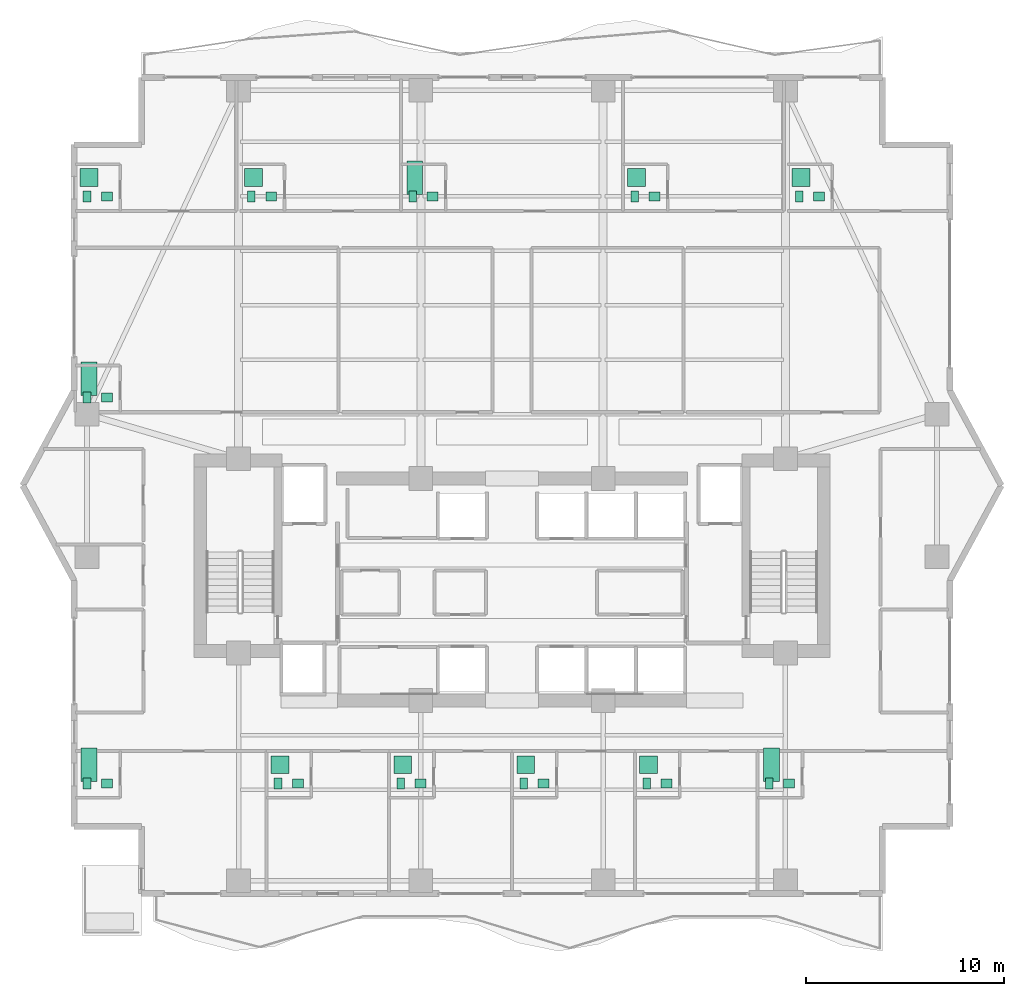
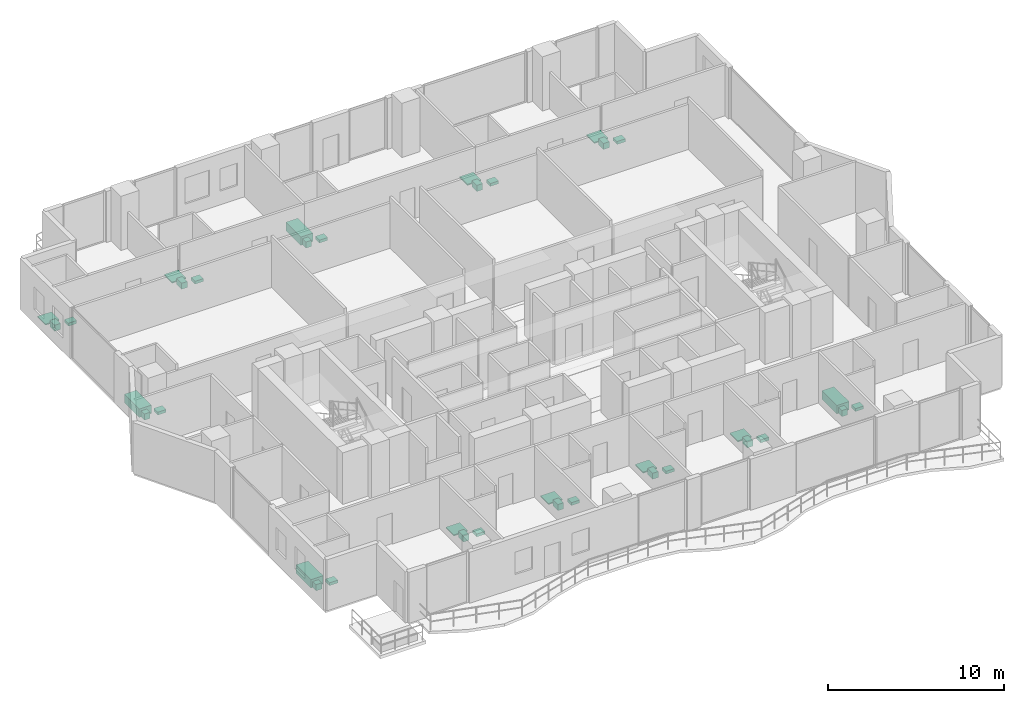
# One storey, part 32 of 32: 36 sanitary terminals.
"""IFC4 building model written with IfcOpenShell, lengths in metres."""

import ifcopenshell
import ifcopenshell.guid

model = None  # the IFC model being written
_history = None  # IfcOwnerHistory: only IFC2X3 demands one
_inside = {}  # id of a spatial element -> (the spatial element, [elements in it])
_under = {}  # id of a project, library or spatial element -> (it, [spatial elements below it])
_declared = {}  # id of a project -> (the project, [libraries it declares])
_typed = {}  # id of a type object -> (the type object, [elements of that type])
_made_of = {}  # id of a material, layer set ... -> (it, [elements and type objects made of it])


def new_model(schema):
    """Start an empty IFC model of exactly this schema.

    Asked for "IFC4X3", IfcOpenShell would pick the latest addendum, in which some entities
    have other attributes; the version numbers below select the first issue.
    IFC2X3 requires an IfcOwnerHistory on every rooted entity: one is made here for all.
    """
    global model, _history
    if schema == "IFC4X3":
        model = ifcopenshell.file(schema_version=(4, 3, 0, 0))
    else:
        model = ifcopenshell.file(schema=schema)
    _inside.clear()
    _under.clear()
    _declared.clear()
    _typed.clear()
    _made_of.clear()
    _history = None
    if model.schema == "IFC2X3":
        org = make("IfcOrganization", Name="unknown")
        user = make(
            "IfcPersonAndOrganization",
            ThePerson=make("IfcPerson", FamilyName="unknown"),
            TheOrganization=org,
        )
        app = make(
            "IfcApplication",
            ApplicationDeveloper=org,
            Version="unknown",
            ApplicationFullName="unknown",
            ApplicationIdentifier="unknown",
        )
        _history = make(
            "IfcOwnerHistory",
            OwningUser=user,
            OwningApplication=app,
            ChangeAction="ADDED",
            CreationDate=0,
        )
    return model


def make(cls, **values):
    """One entity of the class cls with the attributes given. An attribute that is None is left unset."""
    return model.create_entity(
        cls, **{name: value for name, value in values.items() if value is not None}
    )


def rooted(cls, **values):
    """An entity with a GlobalId (a new one), such as an element, a storey or a relation."""
    return make(cls, GlobalId=ifcopenshell.guid.new(), OwnerHistory=_history, **values)


def si_unit(unit_type, name, prefix=None):
    """IfcSIUnit, for example si_unit("LENGTHUNIT", "METRE", prefix="MILLI")."""
    return make("IfcSIUnit", UnitType=unit_type, Prefix=prefix, Name=name)


def assignment(units):
    """IfcUnitAssignment: the units of a project."""
    return None if units is None else make("IfcUnitAssignment", Units=units)


def point(xyz):
    """IfcCartesianPoint."""
    return None if xyz is None else make("IfcCartesianPoint", Coordinates=xyz)


def direction(xyz):
    """IfcDirection."""
    return None if xyz is None else make("IfcDirection", DirectionRatios=xyz)


def frame(location, z_axis=None, x_axis=None):
    """IfcAxis2Placement3D, a coordinate frame: its origin and axes. An axis left out is left unset."""
    return make(
        "IfcAxis2Placement3D",
        Location=point(location),
        Axis=direction(z_axis),
        RefDirection=direction(x_axis),
    )


def frame_2d(location, x_axis=None):
    """IfcAxis2Placement2D, a coordinate frame in the plane: its origin and x axis."""
    return make(
        "IfcAxis2Placement2D", Location=point(location), RefDirection=direction(x_axis)
    )


def origin():
    """The frame at (0, 0, 0) with its axes left unset."""
    return frame((0.0, 0.0, 0.0))


def origin_2d():
    """The frame at (0, 0) in the plane with its x axis left unset."""
    return frame_2d((0.0, 0.0))


def place(relative_to, where):
    """IfcLocalPlacement: puts the frame where relative to a parent placement (None: the world)."""
    return make(
        "IfcLocalPlacement", PlacementRelTo=relative_to, RelativePlacement=where
    )


def context(
    kind, dimensions, precision=None, world=None, true_north=None, identifier=None
):
    """IfcGeometricRepresentationContext, for example the 3D "Model" context."""
    return make(
        "IfcGeometricRepresentationContext",
        ContextIdentifier=identifier,
        ContextType=kind,
        CoordinateSpaceDimension=dimensions,
        Precision=precision,
        WorldCoordinateSystem=world,
        TrueNorth=true_north,
    )


def subcontext(parent, identifier, kind, view, scale=None):
    """IfcGeometricRepresentationSubContext, for example "Body" below "Model"."""
    return make(
        "IfcGeometricRepresentationSubContext",
        ContextIdentifier=identifier,
        ContextType=kind,
        ParentContext=parent,
        TargetScale=scale,
        TargetView=view,
    )


def project(units=None, contexts=None):
    """IfcProject with its units and contexts."""
    return rooted(
        "IfcProject",
        Name="project",
        RepresentationContexts=contexts,
        UnitsInContext=assignment(units),
    )


def spatial(cls, under=None, at=None, **own):
    """A site, building, storey or space (cls), placed at a placement, below another one or the project."""
    s = rooted(cls, ObjectPlacement=at, **own)
    if under is not None:
        _under.setdefault(under.id(), (under, []))[1].append(s)
    return s


def profile(cls, at=None, kind="AREA", **sizes):
    """A parametric profile (cls). Its sizes go by their IFC names, for example OverallWidth=200.0."""
    return make(cls, ProfileType=kind, Position=at, **sizes)


def rectangle(**sizes):
    """IfcRectangleProfileDef."""
    return profile("IfcRectangleProfileDef", **sizes)


def extrude(swept, where, along, depth):
    """IfcExtrudedAreaSolid: the profile swept, set in the frame where, extruded along a direction by depth."""
    return make(
        "IfcExtrudedAreaSolid",
        SweptArea=swept,
        Position=where,
        ExtrudedDirection=direction(along),
        Depth=depth,
    )


def shape(context_of_items, identifier, shape_type, items):
    """IfcShapeRepresentation: the items that make up one representation, for example the "Body"."""
    return make(
        "IfcShapeRepresentation",
        ContextOfItems=context_of_items,
        RepresentationIdentifier=identifier,
        RepresentationType=shape_type,
        Items=items,
    )


def material(Name=None, Category=None):
    """IfcMaterial."""
    return make("IfcMaterial", Name=Name, Category=Category)


def made_of(thing, what):
    """Note that an element or type object is made of a material, layer set ...; save() writes the relation."""
    if what is not None:
        _made_of.setdefault(what.id(), (what, []))[1].append(thing)
    return thing


def type_object(cls, material=None, **own):
    """A type object (cls), such as IfcWallType, which elements share."""
    return made_of(rooted(cls, **own), material)


def element(
    cls,
    number,
    at=None,
    inside=None,
    cuts=None,
    type_object=None,
    material=None,
    context=None,
    identifier="Body",
    shape_type=None,
    held_by="IfcProductDefinitionShape",
    body=None,
    shapes=None,
    **own,
):
    """One element of the class cls, such as IfcWall. Its Tag is "e" and its number.

    at: its placement. inside: the storey or other place that contains it. cuts: it is an
    opening in that element (IfcRelVoidsElement). A single representation is given by context,
    identifier, shape_type and body (its items); several are given by shapes. held_by: the class
    of the entity that holds the representations. save() writes the other relations.
    """
    e = rooted(cls, Tag="e%d" % number, ObjectPlacement=at, **own)
    if body is not None:
        shapes = [shape(context, identifier, shape_type, body)]
    if shapes is not None:
        e.Representation = make(held_by, Representations=shapes)
    if inside is not None:
        _inside.setdefault(inside.id(), (inside, []))[1].append(e)
    if cuts is not None:
        rooted(
            "IfcRelVoidsElement", RelatingBuildingElement=cuts, RelatedOpeningElement=e
        )
    if type_object is not None:
        _typed.setdefault(type_object.id(), (type_object, []))[1].append(e)
    return made_of(e, material)


def aggregate(whole, parts):
    """IfcRelAggregates: a whole, such as a stair, and the parts it consists of."""
    return rooted("IfcRelAggregates", RelatingObject=whole, RelatedObjects=parts)


def save(model, path):
    """Write the relations noted so far, then the file.

    IfcRelAggregates (storeys below a building ...), IfcRelContainedInSpatialStructure (elements
    in a storey), IfcRelDefinesByType, IfcRelAssociatesMaterial and IfcRelDeclares: one each for
    every whole, place, type object, material and project.
    """
    for whole, parts in _under.values():
        aggregate(whole, parts)
    for where, things in _inside.values():
        rooted(
            "IfcRelContainedInSpatialStructure",
            RelatedElements=things,
            RelatingStructure=where,
        )
    for kind, things in _typed.values():
        rooted("IfcRelDefinesByType", RelatedObjects=things, RelatingType=kind)
    for what, things in _made_of.values():
        rooted("IfcRelAssociatesMaterial", RelatedObjects=things, RelatingMaterial=what)
    for by, libraries in _declared.values():
        rooted("IfcRelDeclares", RelatingContext=by, RelatedDefinitions=libraries)
    model.write(path)


model = new_model("IFC4")

# Units and contexts
model_context = context("Model", 3, precision=1e-05, world=origin(), true_north=direction((0.0, 1.0)))
body_context = subcontext(model_context, "Body", "Model", "MODEL_VIEW")
ifc_project = project(units=[si_unit("LENGTHUNIT", "METRE"), si_unit("AREAUNIT", "SQUARE_METRE"), si_unit("VOLUMEUNIT", "CUBIC_METRE"), si_unit("PLANEANGLEUNIT", "RADIAN"), si_unit("MASSUNIT", "GRAM", prefix="KILO")], contexts=[model_context])

# Site, building, storey
site_placement = place(None, origin())
site = spatial("IfcSite", under=ifc_project, at=site_placement, CompositionType="ELEMENT")
building_placement = place(site_placement, origin())
building = spatial("IfcBuilding", under=site, at=building_placement, Name="Zuhayl Quay Hotel", CompositionType="ELEMENT")
storey_placement = place(building_placement, frame((0.0, 0.0, 196.14990234375)))
storey = spatial("IfcBuildingStorey", under=building, at=storey_placement, Name="L49", CompositionType="ELEMENT", Elevation=196.14990234375)

# Sanitary terminals
ifc_material = material(Name="Vitreous Porcelain Sanitaryware")
sanitary_terminal_type_1 = type_object("IfcSanitaryTerminalType", Name="SAN_BASIN", PredefinedType="WASHHANDBASIN", material=ifc_material)
for number, where, z_axis, x_axis, name in (
    (1, (-20.449951171875, 27.590087890625, 0.0), (0.0, 0.0, 1.0), (1.0, 0.0, 0.0), "L49 Sanitary Fixture WASHHANDBASIN"),
    (2, (-12.14990234375, 27.590087890625, 0.0), (0.0, 0.0, 1.0), (1.0, 0.0, 0.0), "L49 Sanitary Fixture WASHHANDBASIN"),
    (3, (-4.010009765625, 27.590087890625, 0.0), (0.0, 0.0, 1.0), (1.0, 0.0, 0.0), "L49 Sanitary Fixture WASHHANDBASIN"),
    (4, (7.18994140625, 27.590087890625, 0.0), (0.0, 0.0, 1.0), (1.0, 0.0, 0.0), "L49 Sanitary Fixture WASHHANDBASIN"),
    (5, (15.489990234375, 27.590087890625, 0.0), (0.0, 0.0, 1.0), (1.0, 0.0, 0.0), "L49 Sanitary Fixture WASHHANDBASIN"),
    (6, (-20.449951171875, 17.43994140625, 0.0), (0.0, 0.0, 1.0), (1.0, 0.0, 0.0), "L49 Sanitary Fixture WASHHANDBASIN"),
    (7, (-20.449951171875, -2.0400390625, 0.0), (0.0, 0.0, 1.0), (1.0, 0.0, 0.0), "L49 Sanitary Fixture WASHHANDBASIN"),
    (8, (-10.81005859375, -2.0400390625, 0.0), (0.0, 0.0, 1.0), (1.0, 0.0, 0.0), "L49 Sanitary Fixture WASHHANDBASIN"),
    (9, (-4.610107421875, -2.0400390625, 0.0), (0.0, 0.0, 1.0), (1.0, 0.0, 0.0), "L49 Sanitary Fixture WASHHANDBASIN"),
    (10, (1.590087890625, -2.0400390625, 0.0), (0.0, 0.0, 1.0), (1.0, 0.0, 0.0), "L49 Sanitary Fixture WASHHANDBASIN"),
    (11, (7.7900390625, -2.0400390625, 0.0), (0.0, 0.0, 1.0), (1.0, 0.0, 0.0), "L49 Sanitary Fixture WASHHANDBASIN"),
    (12, (13.989990234375, -2.0400390625, 0.0), (0.0, 0.0, 1.0), (1.0, 0.0, 0.0), "L49 Sanitary Fixture WASHHANDBASIN"),
):
    element("IfcSanitaryTerminal", number, at=place(storey_placement, frame(where, z_axis=z_axis, x_axis=x_axis)), inside=storey, type_object=sanitary_terminal_type_1, Name=name, PredefinedType="WASHHANDBASIN", context=body_context, shape_type="SweptSolid", body=[
        extrude(rectangle(XDim=0.550048828125, YDim=0.449951171875, at=origin_2d()), origin(), (0.0, 0.0, 1.0), 0.199951171875),
    ])
sanitary_terminal_type_2 = type_object("IfcSanitaryTerminalType", Name="SAN_BATH", PredefinedType="BATH", material=ifc_material)
for number, where, z_axis, x_axis, name in (
    (13, (-4.909912109375, 28.5400390625, 0.0), (0.0, 0.0, 1.0), (1.0, 0.0, 0.0), "L49 Sanitary Fixture BATH"),
    (14, (-21.35009765625, 18.389892578125, 0.0), (0.0, 0.0, 1.0), (1.0, 0.0, 0.0), "L49 Sanitary Fixture BATH"),
    (15, (-21.35009765625, -1.090087890625, 0.0), (0.0, 0.0, 1.0), (1.0, 0.0, 0.0), "L49 Sanitary Fixture BATH"),
    (16, (13.090087890625, -1.090087890625, 0.0), (0.0, 0.0, 1.0), (1.0, 0.0, 0.0), "L49 Sanitary Fixture BATH"),
):
    element("IfcSanitaryTerminal", number, at=place(storey_placement, frame(where, z_axis=z_axis, x_axis=x_axis)), inside=storey, type_object=sanitary_terminal_type_2, Name=name, PredefinedType="BATH", context=body_context, shape_type="SweptSolid", body=[
        extrude(rectangle(XDim=0.800048828125, YDim=1.699951171875, at=origin_2d()), origin(), (0.0, 0.0, 1.0), 0.580078125),
    ])
sanitary_terminal_type_3 = type_object("IfcSanitaryTerminalType", Name="SAN_SHOWER", PredefinedType="SHOWER", material=ifc_material)
for number, where, z_axis, x_axis, name in (
    (17, (-21.35009765625, 28.5400390625, 0.0), (0.0, 0.0, 1.0), (1.0, 0.0, 0.0), "L49 Sanitary Fixture SHOWER"),
    (18, (-13.050048828125, 28.5400390625, 0.0), (0.0, 0.0, 1.0), (1.0, 0.0, 0.0), "L49 Sanitary Fixture SHOWER"),
    (19, (6.2900390625, 28.5400390625, 0.0), (0.0, 0.0, 1.0), (1.0, 0.0, 0.0), "L49 Sanitary Fixture SHOWER"),
    (20, (14.590087890625, 28.5400390625, 0.0), (0.0, 0.0, 1.0), (1.0, 0.0, 0.0), "L49 Sanitary Fixture SHOWER"),
    (21, (-11.7099609375, -1.090087890625, 0.0), (0.0, 0.0, 1.0), (1.0, 0.0, 0.0), "L49 Sanitary Fixture SHOWER"),
    (22, (-5.510009765625, -1.090087890625, 0.0), (0.0, 0.0, 1.0), (1.0, 0.0, 0.0), "L49 Sanitary Fixture SHOWER"),
    (23, (0.68994140625, -1.090087890625, 0.0), (0.0, 0.0, 1.0), (1.0, 0.0, 0.0), "L49 Sanitary Fixture SHOWER"),
    (24, (6.889892578125, -1.090087890625, 0.0), (0.0, 0.0, 1.0), (1.0, 0.0, 0.0), "L49 Sanitary Fixture SHOWER"),
):
    element("IfcSanitaryTerminal", number, at=place(storey_placement, frame(where, z_axis=z_axis, x_axis=x_axis)), inside=storey, type_object=sanitary_terminal_type_3, Name=name, PredefinedType="SHOWER", context=body_context, shape_type="SweptSolid", body=[
        extrude(rectangle(XDim=0.89990234375, YDim=0.89990234375, at=origin_2d()), origin(), (0.0, 0.0, 1.0), 0.080078125),
    ])
sanitary_terminal_type_4 = type_object("IfcSanitaryTerminalType", Name="SAN_WC", PredefinedType="TOILETPAN", material=ifc_material)
for number, where, z_axis, x_axis, name in (
    (25, (-21.449951171875, 27.590087890625, 0.000244140625), (0.0, 0.0, 1.0), (1.0, 0.0, 0.0), "L49 Sanitary Fixture TOILETPAN"),
    (26, (-13.14990234375, 27.590087890625, 0.000244140625), (0.0, 0.0, 1.0), (1.0, 0.0, 0.0), "L49 Sanitary Fixture TOILETPAN"),
    (27, (-5.010009765625, 27.590087890625, 0.000244140625), (0.0, 0.0, 1.0), (1.0, 0.0, 0.0), "L49 Sanitary Fixture TOILETPAN"),
    (28, (6.18994140625, 27.590087890625, 0.000244140625), (0.0, 0.0, 1.0), (1.0, 0.0, 0.0), "L49 Sanitary Fixture TOILETPAN"),
    (29, (14.489990234375, 27.590087890625, 0.000244140625), (0.0, 0.0, 1.0), (1.0, 0.0, 0.0), "L49 Sanitary Fixture TOILETPAN"),
    (30, (-21.449951171875, 17.43994140625, 0.000244140625), (0.0, 0.0, 1.0), (1.0, 0.0, 0.0), "L49 Sanitary Fixture TOILETPAN"),
    (31, (-21.449951171875, -2.0400390625, 0.000244140625), (0.0, 0.0, 1.0), (1.0, 0.0, 0.0), "L49 Sanitary Fixture TOILETPAN"),
    (32, (-11.81005859375, -2.0400390625, 0.000244140625), (0.0, 0.0, 1.0), (1.0, 0.0, 0.0), "L49 Sanitary Fixture TOILETPAN"),
    (33, (-5.610107421875, -2.0400390625, 0.000244140625), (0.0, 0.0, 1.0), (1.0, 0.0, 0.0), "L49 Sanitary Fixture TOILETPAN"),
    (34, (0.590087890625, -2.0400390625, 0.000244140625), (0.0, 0.0, 1.0), (1.0, 0.0, 0.0), "L49 Sanitary Fixture TOILETPAN"),
    (35, (6.7900390625, -2.0400390625, 0.000244140625), (0.0, 0.0, 1.0), (1.0, 0.0, 0.0), "L49 Sanitary Fixture TOILETPAN"),
    (36, (12.989990234375, -2.0400390625, 0.000244140625), (0.0, 0.0, 1.0), (1.0, 0.0, 0.0), "L49 Sanitary Fixture TOILETPAN"),
):
    element("IfcSanitaryTerminal", number, at=place(storey_placement, frame(where, z_axis=z_axis, x_axis=x_axis)), inside=storey, type_object=sanitary_terminal_type_4, Name=name, PredefinedType="TOILETPAN", context=body_context, shape_type="SweptSolid", body=[
        extrude(rectangle(XDim=0.3798828125, YDim=0.56005859375, at=origin_2d()), origin(), (0.0, 0.0, 1.0), 0.419921875),
    ])

save(model, "model.ifc")
